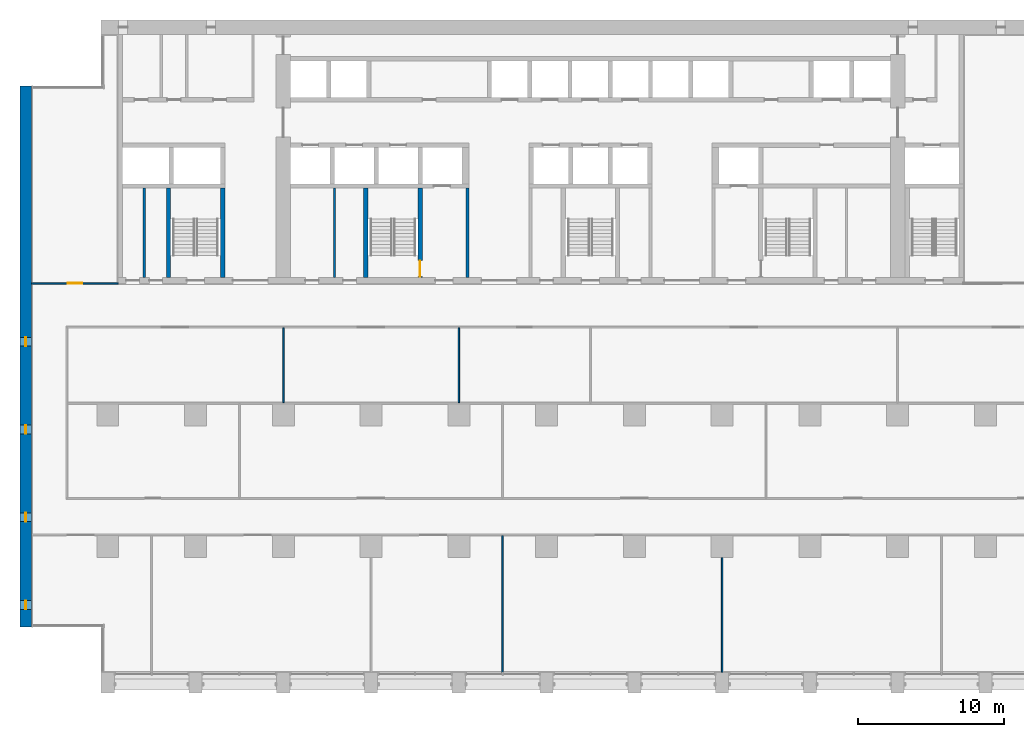
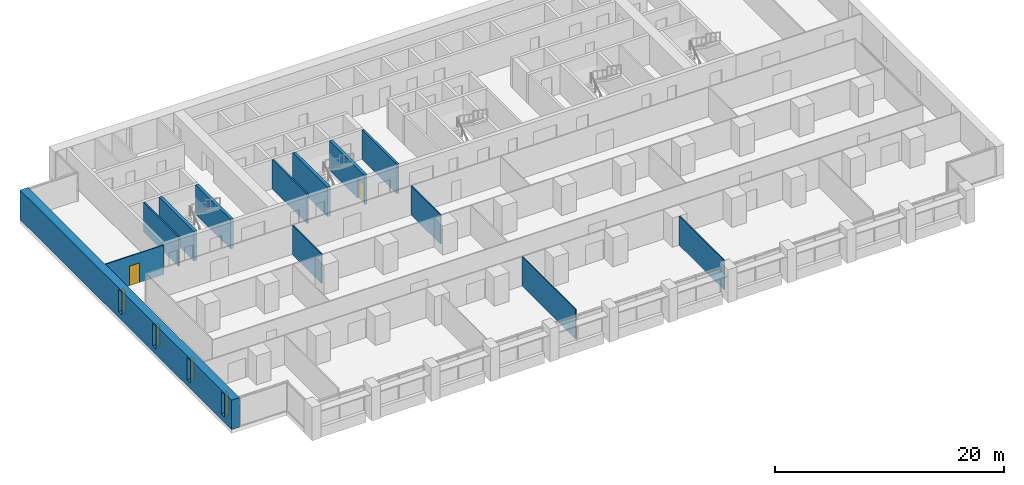
# One storey, part 8 of 18: 13 walls, 4 windows, 2 doors, 6 openings.
"""IFC4 building model written with IfcOpenShell, lengths in metres."""

import ifcopenshell
import ifcopenshell.guid

model = None  # the IFC model being written
_history = None  # IfcOwnerHistory: only IFC2X3 demands one
_inside = {}  # id of a spatial element -> (the spatial element, [elements in it])
_under = {}  # id of a project, library or spatial element -> (it, [spatial elements below it])
_declared = {}  # id of a project -> (the project, [libraries it declares])
_typed = {}  # id of a type object -> (the type object, [elements of that type])
_made_of = {}  # id of a material, layer set ... -> (it, [elements and type objects made of it])


def new_model(schema):
    """Start an empty IFC model of exactly this schema.

    Asked for "IFC4X3", IfcOpenShell would pick the latest addendum, in which some entities
    have other attributes; the version numbers below select the first issue.
    IFC2X3 requires an IfcOwnerHistory on every rooted entity: one is made here for all.
    """
    global model, _history
    if schema == "IFC4X3":
        model = ifcopenshell.file(schema_version=(4, 3, 0, 0))
    else:
        model = ifcopenshell.file(schema=schema)
    _inside.clear()
    _under.clear()
    _declared.clear()
    _typed.clear()
    _made_of.clear()
    _history = None
    if model.schema == "IFC2X3":
        org = make("IfcOrganization", Name="unknown")
        user = make(
            "IfcPersonAndOrganization",
            ThePerson=make("IfcPerson", FamilyName="unknown"),
            TheOrganization=org,
        )
        app = make(
            "IfcApplication",
            ApplicationDeveloper=org,
            Version="unknown",
            ApplicationFullName="unknown",
            ApplicationIdentifier="unknown",
        )
        _history = make(
            "IfcOwnerHistory",
            OwningUser=user,
            OwningApplication=app,
            ChangeAction="ADDED",
            CreationDate=0,
        )
    return model


def make(cls, **values):
    """One entity of the class cls with the attributes given. An attribute that is None is left unset."""
    return model.create_entity(
        cls, **{name: value for name, value in values.items() if value is not None}
    )


def rooted(cls, **values):
    """An entity with a GlobalId (a new one), such as an element, a storey or a relation."""
    return make(cls, GlobalId=ifcopenshell.guid.new(), OwnerHistory=_history, **values)


def si_unit(unit_type, name, prefix=None):
    """IfcSIUnit, for example si_unit("LENGTHUNIT", "METRE", prefix="MILLI")."""
    return make("IfcSIUnit", UnitType=unit_type, Prefix=prefix, Name=name)


def assignment(units):
    """IfcUnitAssignment: the units of a project."""
    return None if units is None else make("IfcUnitAssignment", Units=units)


def point(xyz):
    """IfcCartesianPoint."""
    return None if xyz is None else make("IfcCartesianPoint", Coordinates=xyz)


def direction(xyz):
    """IfcDirection."""
    return None if xyz is None else make("IfcDirection", DirectionRatios=xyz)


def frame(location, z_axis=None, x_axis=None):
    """IfcAxis2Placement3D, a coordinate frame: its origin and axes. An axis left out is left unset."""
    return make(
        "IfcAxis2Placement3D",
        Location=point(location),
        Axis=direction(z_axis),
        RefDirection=direction(x_axis),
    )


def frame_2d(location, x_axis=None):
    """IfcAxis2Placement2D, a coordinate frame in the plane: its origin and x axis."""
    return make(
        "IfcAxis2Placement2D", Location=point(location), RefDirection=direction(x_axis)
    )


def origin():
    """The frame at (0, 0, 0) with its axes left unset."""
    return frame((0.0, 0.0, 0.0))


def place(relative_to, where):
    """IfcLocalPlacement: puts the frame where relative to a parent placement (None: the world)."""
    return make(
        "IfcLocalPlacement", PlacementRelTo=relative_to, RelativePlacement=where
    )


def context(
    kind, dimensions, precision=None, world=None, true_north=None, identifier=None
):
    """IfcGeometricRepresentationContext, for example the 3D "Model" context."""
    return make(
        "IfcGeometricRepresentationContext",
        ContextIdentifier=identifier,
        ContextType=kind,
        CoordinateSpaceDimension=dimensions,
        Precision=precision,
        WorldCoordinateSystem=world,
        TrueNorth=true_north,
    )


def subcontext(parent, identifier, kind, view, scale=None):
    """IfcGeometricRepresentationSubContext, for example "Body" below "Model"."""
    return make(
        "IfcGeometricRepresentationSubContext",
        ContextIdentifier=identifier,
        ContextType=kind,
        ParentContext=parent,
        TargetScale=scale,
        TargetView=view,
    )


def project(units=None, contexts=None):
    """IfcProject with its units and contexts."""
    return rooted(
        "IfcProject",
        Name="project",
        RepresentationContexts=contexts,
        UnitsInContext=assignment(units),
    )


def spatial(cls, under=None, at=None, **own):
    """A site, building, storey or space (cls), placed at a placement, below another one or the project."""
    s = rooted(cls, ObjectPlacement=at, **own)
    if under is not None:
        _under.setdefault(under.id(), (under, []))[1].append(s)
    return s


def profile(cls, at=None, kind="AREA", **sizes):
    """A parametric profile (cls). Its sizes go by their IFC names, for example OverallWidth=200.0."""
    return make(cls, ProfileType=kind, Position=at, **sizes)


def rectangle(**sizes):
    """IfcRectangleProfileDef."""
    return profile("IfcRectangleProfileDef", **sizes)


def extrude(swept, where, along, depth):
    """IfcExtrudedAreaSolid: the profile swept, set in the frame where, extruded along a direction by depth."""
    return make(
        "IfcExtrudedAreaSolid",
        SweptArea=swept,
        Position=where,
        ExtrudedDirection=direction(along),
        Depth=depth,
    )


def shape(context_of_items, identifier, shape_type, items):
    """IfcShapeRepresentation: the items that make up one representation, for example the "Body"."""
    return make(
        "IfcShapeRepresentation",
        ContextOfItems=context_of_items,
        RepresentationIdentifier=identifier,
        RepresentationType=shape_type,
        Items=items,
    )


def material(Name=None, Category=None):
    """IfcMaterial."""
    return make("IfcMaterial", Name=Name, Category=Category)


def layer(
    of_material, thickness, ventilated=None, Name=None, Category=None, Priority=None
):
    """IfcMaterialLayer: one layer of a wall or slab, of a material (None: an air gap)."""
    return make(
        "IfcMaterialLayer",
        Material=of_material,
        LayerThickness=thickness,
        IsVentilated=ventilated,
        Name=Name,
        Category=Category,
        Priority=Priority,
    )


def layer_set(layers, Name=None):
    """IfcMaterialLayerSet."""
    return make("IfcMaterialLayerSet", MaterialLayers=layers, LayerSetName=Name)


def made_of(thing, what):
    """Note that an element or type object is made of a material, layer set ...; save() writes the relation."""
    if what is not None:
        _made_of.setdefault(what.id(), (what, []))[1].append(thing)
    return thing


def type_object(cls, material=None, **own):
    """A type object (cls), such as IfcWallType, which elements share."""
    return made_of(rooted(cls, **own), material)


def element(
    cls,
    number,
    at=None,
    inside=None,
    cuts=None,
    type_object=None,
    material=None,
    context=None,
    identifier="Body",
    shape_type=None,
    held_by="IfcProductDefinitionShape",
    body=None,
    shapes=None,
    **own,
):
    """One element of the class cls, such as IfcWall. Its Tag is "e" and its number.

    at: its placement. inside: the storey or other place that contains it. cuts: it is an
    opening in that element (IfcRelVoidsElement). A single representation is given by context,
    identifier, shape_type and body (its items); several are given by shapes. held_by: the class
    of the entity that holds the representations. save() writes the other relations.
    """
    e = rooted(cls, Tag="e%d" % number, ObjectPlacement=at, **own)
    if body is not None:
        shapes = [shape(context, identifier, shape_type, body)]
    if shapes is not None:
        e.Representation = make(held_by, Representations=shapes)
    if inside is not None:
        _inside.setdefault(inside.id(), (inside, []))[1].append(e)
    if cuts is not None:
        rooted(
            "IfcRelVoidsElement", RelatingBuildingElement=cuts, RelatedOpeningElement=e
        )
    if type_object is not None:
        _typed.setdefault(type_object.id(), (type_object, []))[1].append(e)
    return made_of(e, material)


def fill(opening, filler):
    """IfcRelFillsElement: the door or window that sits in an opening."""
    return rooted(
        "IfcRelFillsElement",
        RelatingOpeningElement=opening,
        RelatedBuildingElement=filler,
    )


def aggregate(whole, parts):
    """IfcRelAggregates: a whole, such as a stair, and the parts it consists of."""
    return rooted("IfcRelAggregates", RelatingObject=whole, RelatedObjects=parts)


def save(model, path):
    """Write the relations noted so far, then the file.

    IfcRelAggregates (storeys below a building ...), IfcRelContainedInSpatialStructure (elements
    in a storey), IfcRelDefinesByType, IfcRelAssociatesMaterial and IfcRelDeclares: one each for
    every whole, place, type object, material and project.
    """
    for whole, parts in _under.values():
        aggregate(whole, parts)
    for where, things in _inside.values():
        rooted(
            "IfcRelContainedInSpatialStructure",
            RelatedElements=things,
            RelatingStructure=where,
        )
    for kind, things in _typed.values():
        rooted("IfcRelDefinesByType", RelatedObjects=things, RelatingType=kind)
    for what, things in _made_of.values():
        rooted("IfcRelAssociatesMaterial", RelatedObjects=things, RelatingMaterial=what)
    for by, libraries in _declared.values():
        rooted("IfcRelDeclares", RelatingContext=by, RelatedDefinitions=libraries)
    model.write(path)


model = new_model("IFC4")

# Units and contexts
model_context = context("Model", 3, precision=1e-05, world=origin(), true_north=direction((0.0, 1.0)))
body_context = subcontext(model_context, "Body", "Model", "MODEL_VIEW")
ifc_project = project(units=[si_unit("LENGTHUNIT", "METRE"), si_unit("AREAUNIT", "SQUARE_METRE"), si_unit("VOLUMEUNIT", "CUBIC_METRE"), si_unit("PLANEANGLEUNIT", "RADIAN"), si_unit("MASSUNIT", "GRAM", prefix="KILO")], contexts=[model_context])

# Site, building, storey
site_placement = place(None, origin())
site = spatial("IfcSite", under=ifc_project, at=site_placement, CompositionType="ELEMENT")
building_placement = place(site_placement, origin())
building = spatial("IfcBuilding", under=site, at=building_placement, Name="Calvaro Tower", CompositionType="ELEMENT")
storey_placement = place(building_placement, frame((0.0, 0.0, 86.25)))
storey = spatial("IfcBuildingStorey", under=building, at=storey_placement, Name="L21", CompositionType="ELEMENT", Elevation=86.25)

# Walls
ifc_material_1 = material(Name="Blockwork partition", Category="masonry")
ifc_layer_1 = layer(ifc_material_1, 0.14990234375)
ifc_layer_set_1 = layer_set([ifc_layer_1], Name="Blockwork partition")
wall_type_1 = type_object("IfcWallType", Name="Core partition 150 EI 60", PredefinedType="PARTITIONING", material=ifc_layer_set_1)
wall_1_placement = place(storey_placement, frame((8.5, 28.39990234375, 0.0), z_axis=(0.0, 0.0, 1.0), x_axis=(0.0, 1.0, 0.0)))
element("IfcWall", 1, at=wall_1_placement, inside=storey, type_object=wall_type_1, Name="Core partition", PredefinedType="PARTITIONING", context=body_context, shape_type="SweptSolid", body=[
    extrude(rectangle(XDim=6.10009765625, YDim=0.14990234375, at=frame_2d((3.050048828125, 0.0))), origin(), (0.0, 0.0, 1.0), 3.14990234375),
])
ifc_material_2 = material(Name="Blockwork partition", Category="masonry")
ifc_layer_2 = layer(ifc_material_2, 0.14990234375)
ifc_layer_set_2 = layer_set([ifc_layer_2], Name="Blockwork partition")
wall_type_2 = type_object("IfcWallType", Name="Core partition 150 REI 120", PredefinedType="PARTITIONING", material=ifc_layer_set_2)
wall_2_placement = place(storey_placement, frame((21.5, 28.39990234375, 0.0), z_axis=(0.0, 0.0, 1.0), x_axis=(0.0, 1.0, 0.0)))
element("IfcWall", 2, at=wall_2_placement, inside=storey, type_object=wall_type_2, Name="Core partition", PredefinedType="PARTITIONING", context=body_context, shape_type="SweptSolid", body=[
    extrude(rectangle(XDim=6.10009765625, YDim=0.14990234375, at=frame_2d((3.050048828125, 0.0))), origin(), (0.0, 0.0, 1.0), 3.14990234375),
])
ifc_material_3 = material(Name="Blockwork partition", Category="masonry")
ifc_layer_3 = layer(ifc_material_3, 0.199951171875)
ifc_layer_set_3 = layer_set([ifc_layer_3], Name="Blockwork partition")
wall_type_3 = type_object("IfcWallType", Name="Core partition 200 REI 120", PredefinedType="PARTITIONING", material=ifc_layer_set_3)
wall_3_placement = place(storey_placement, frame((30.60009765625, 28.39990234375, 0.0), z_axis=(0.0, 0.0, 1.0), x_axis=(0.0, 1.0, 0.0)))
element("IfcWall", 3, at=wall_3_placement, inside=storey, type_object=wall_type_3, Name="Core partition", PredefinedType="PARTITIONING", context=body_context, shape_type="SweptSolid", body=[
    extrude(rectangle(XDim=6.10009765625, YDim=0.199951171875, at=frame_2d((3.050048828125, 0.0))), origin(), (0.0, 0.0, 1.0), 3.14990234375),
])
ifc_material_4 = material(Name="Concrete C80/95", Category="concrete")
ifc_layer_4 = layer(ifc_material_4, 0.300048828125)
ifc_layer_set_4 = layer_set([ifc_layer_4], Name="Concrete C80/95")
wall_type_4 = type_object("IfcWallType", Name="Core wall C80/95 300", PredefinedType="SHEAR", material=ifc_layer_set_4)
for number, where, z_axis, x_axis, name in (
    (4, (10.14990234375, 28.39990234375, 0.0), (0.0, 0.0, 1.0), (0.0, 1.0, 0.0), "Core wall, stair enclosure"),
    (5, (13.85009765625, 28.39990234375, 0.0), (0.0, 0.0, 1.0), (0.0, 1.0, 0.0), "Core wall, stair enclosure"),
    (6, (23.64990234375, 28.39990234375, 0.0), (0.0, 0.0, 1.0), (0.0, 1.0, 0.0), "Core wall, stair enclosure"),
):
    element("IfcWall", number, at=place(storey_placement, frame(where, z_axis=z_axis, x_axis=x_axis)), inside=storey, type_object=wall_type_4, Name=name, PredefinedType="SHEAR", context=body_context, shape_type="SweptSolid", body=[
        extrude(rectangle(XDim=6.10009765625, YDim=0.300048828125, at=frame_2d((3.050048828125, 0.0))), origin(), (0.0, 0.0, 1.0), 3.14990234375),
    ])

# Wall, opening, door
wall_4_placement = place(storey_placement, frame((27.35009765625, 28.39990234375, 0.0), z_axis=(0.0, 0.0, 1.0), x_axis=(0.0, 1.0, 0.0)))
wall_4 = element("IfcWall", 7, at=wall_4_placement, inside=storey, type_object=wall_type_4, Name="Core wall, stair enclosure", PredefinedType="SHEAR", context=body_context, shape_type="SweptSolid", body=[
    extrude(rectangle(XDim=6.10009765625, YDim=0.300048828125, at=frame_2d((3.050048828125, 0.0))), origin(), (0.0, 0.0, 1.0), 3.14990234375),
])
opening_1_placement = place(wall_4_placement, frame((0.050048828125, 0.0, 0.0)))
opening_1 = element("IfcOpeningElement", 8, at=opening_1_placement, cuts=wall_4, Name="Opening FD11D", PredefinedType="OPENING", context=body_context, shape_type="SweptSolid", body=[
    extrude(rectangle(XDim=1.10009765625, YDim=2.10009765625, at=frame_2d((0.550048828125, 1.050048828125))), frame((0.0, 0.159912109375, 0.0), z_axis=(0.0, -1.0, 0.0), x_axis=(1.0, 0.0, 0.0)), (0.0, 0.0, 1.0), 0.320068359375),
])
ifc_material_5 = material(Name="Steel door set", Category="steel")
door_type_1 = type_object("IfcDoorType", Name="Fire door 1100 FD30S", OperationType="SINGLE_SWING_LEFT", PredefinedType="DOOR", material=ifc_material_5)
door_1_placement = place(opening_1_placement, origin())
door_1 = element("IfcDoor", 9, at=door_1_placement, inside=storey, type_object=door_type_1, Name="Fire door", OperationType="SINGLE_SWING_LEFT", OverallHeight=2.10009765625, OverallWidth=1.10009765625, PredefinedType="DOOR", context=body_context, shape_type="SweptSolid", body=[
    extrude(rectangle(XDim=1.10009765625, YDim=2.10009765625, at=frame_2d((0.550048828125, 1.050048828125))), frame((0.0, 0.02490234375, 0.0), z_axis=(0.0, -1.0, 0.0), x_axis=(1.0, 0.0, 0.0)), (0.0, 0.0, 1.0), 0.050048828125),
])
fill(opening_1, door_1)

# Wall, openings, windows
ifc_material_6 = material(Name="Concrete C80/95", Category="concrete")
ifc_layer_5 = layer(ifc_material_6, 0.800048828125)
ifc_layer_set_5 = layer_set([ifc_layer_5], Name="Concrete C80/95")
wall_type_5 = type_object("IfcWallType", Name="End wall 800 C80/95", PredefinedType="SHEAR", material=ifc_layer_set_5)
wall_5_placement = place(storey_placement, frame((0.39990234375, 4.5, 0.0), z_axis=(0.0, 0.0, 1.0), x_axis=(0.0, 1.0, 0.0)))
wall_5 = element("IfcWall", 10, at=wall_5_placement, inside=storey, type_object=wall_type_5, Name="End shear wall", PredefinedType="SHEAR", context=body_context, shape_type="SweptSolid", body=[
    extrude(rectangle(XDim=37.0, YDim=0.800048828125, at=frame_2d((18.5, 0.0))), origin(), (0.0, 0.0, 1.0), 3.14990234375),
])
opening_2_placement = place(wall_5_placement, frame((1.199951171875, 0.0, 0.60009765625)))
opening_2 = element("IfcOpeningElement", 11, at=opening_2_placement, cuts=wall_5, Name="Opening WW01", PredefinedType="OPENING", context=body_context, shape_type="SweptSolid", body=[
    extrude(rectangle(XDim=0.60009765625, YDim=2.39990234375, at=frame_2d((0.300048828125, 1.199951171875))), frame((0.0, 0.409912109375, 0.0), z_axis=(0.0, -1.0, 0.0), x_axis=(1.0, 0.0, 0.0)), (0.0, 0.0, 1.0), 0.820068359375),
])
opening_3_placement = place(wall_5_placement, frame((7.199951171875, 0.0, 0.60009765625)))
opening_3 = element("IfcOpeningElement", 12, at=opening_3_placement, cuts=wall_5, Name="Opening WW02", PredefinedType="OPENING", context=body_context, shape_type="SweptSolid", body=[
    extrude(rectangle(XDim=0.60009765625, YDim=2.39990234375, at=frame_2d((0.300048828125, 1.199951171875))), frame((0.0, 0.409912109375, 0.0), z_axis=(0.0, -1.0, 0.0), x_axis=(1.0, 0.0, 0.0)), (0.0, 0.0, 1.0), 0.820068359375),
])
opening_4_placement = place(wall_5_placement, frame((13.199951171875, 0.0, 0.60009765625)))
opening_4 = element("IfcOpeningElement", 13, at=opening_4_placement, cuts=wall_5, Name="Opening WW03", PredefinedType="OPENING", context=body_context, shape_type="SweptSolid", body=[
    extrude(rectangle(XDim=0.60009765625, YDim=2.39990234375, at=frame_2d((0.300048828125, 1.199951171875))), frame((0.0, 0.409912109375, 0.0), z_axis=(0.0, -1.0, 0.0), x_axis=(1.0, 0.0, 0.0)), (0.0, 0.0, 1.0), 0.820068359375),
])
opening_5_placement = place(wall_5_placement, frame((19.199951171875, 0.0, 0.60009765625)))
opening_5 = element("IfcOpeningElement", 14, at=opening_5_placement, cuts=wall_5, Name="Opening WW04", PredefinedType="OPENING", context=body_context, shape_type="SweptSolid", body=[
    extrude(rectangle(XDim=0.60009765625, YDim=2.39990234375, at=frame_2d((0.300048828125, 1.199951171875))), frame((0.0, 0.409912109375, 0.0), z_axis=(0.0, -1.0, 0.0), x_axis=(1.0, 0.0, 0.0)), (0.0, 0.0, 1.0), 0.820068359375),
])
ifc_material_7 = material(Name="Glass", Category="glass")
window_type = type_object("IfcWindowType", Name="Slit window 600 x 2400", PartitioningType="SINGLE_PANEL", PredefinedType="WINDOW", material=ifc_material_7)
window_1_placement = place(opening_2_placement, origin())
window_1 = element("IfcWindow", 15, at=window_1_placement, inside=storey, type_object=window_type, Name="Window WW01", OverallHeight=2.39990234375, OverallWidth=0.60009765625, PartitioningType="SINGLE_PANEL", PredefinedType="WINDOW", context=body_context, shape_type="SweptSolid", body=[
    extrude(rectangle(XDim=0.60009765625, YDim=2.39990234375, at=frame_2d((0.300048828125, 1.199951171875))), frame((0.0, 0.030029296875, 0.0), z_axis=(0.0, -1.0, 0.0), x_axis=(1.0, 0.0, 0.0)), (0.0, 0.0, 1.0), 0.06005859375),
])
fill(opening_2, window_1)
window_2_placement = place(opening_3_placement, origin())
window_2 = element("IfcWindow", 16, at=window_2_placement, inside=storey, type_object=window_type, Name="Window WW02", OverallHeight=2.39990234375, OverallWidth=0.60009765625, PartitioningType="SINGLE_PANEL", PredefinedType="WINDOW", context=body_context, shape_type="SweptSolid", body=[
    extrude(rectangle(XDim=0.60009765625, YDim=2.39990234375, at=frame_2d((0.300048828125, 1.199951171875))), frame((0.0, 0.030029296875, 0.0), z_axis=(0.0, -1.0, 0.0), x_axis=(1.0, 0.0, 0.0)), (0.0, 0.0, 1.0), 0.06005859375),
])
fill(opening_3, window_2)
window_3_placement = place(opening_4_placement, origin())
window_3 = element("IfcWindow", 17, at=window_3_placement, inside=storey, type_object=window_type, Name="Window WW03", OverallHeight=2.39990234375, OverallWidth=0.60009765625, PartitioningType="SINGLE_PANEL", PredefinedType="WINDOW", context=body_context, shape_type="SweptSolid", body=[
    extrude(rectangle(XDim=0.60009765625, YDim=2.39990234375, at=frame_2d((0.300048828125, 1.199951171875))), frame((0.0, 0.030029296875, 0.0), z_axis=(0.0, -1.0, 0.0), x_axis=(1.0, 0.0, 0.0)), (0.0, 0.0, 1.0), 0.06005859375),
])
fill(opening_4, window_3)
window_4_placement = place(opening_5_placement, origin())
window_4 = element("IfcWindow", 18, at=window_4_placement, inside=storey, type_object=window_type, Name="Window WW04", OverallHeight=2.39990234375, OverallWidth=0.60009765625, PartitioningType="SINGLE_PANEL", PredefinedType="WINDOW", context=body_context, shape_type="SweptSolid", body=[
    extrude(rectangle(XDim=0.60009765625, YDim=2.39990234375, at=frame_2d((0.300048828125, 1.199951171875))), frame((0.0, 0.030029296875, 0.0), z_axis=(0.0, -1.0, 0.0), x_axis=(1.0, 0.0, 0.0)), (0.0, 0.0, 1.0), 0.06005859375),
])
fill(opening_5, window_4)

# Walls
ifc_material_8 = material(Name="Plasterboard on steel studs", Category="steel")
ifc_layer_6 = layer(ifc_material_8, 0.10009765625)
ifc_layer_set_6 = layer_set([ifc_layer_6], Name="Plasterboard on steel studs")
wall_type_6 = type_object("IfcWallType", Name="Partition 100", PredefinedType="PARTITIONING", material=ifc_layer_set_6)
for number, where, z_axis, x_axis, name in (
    (19, (18.0, 19.85009765625, 0.0), (0.0, 0.0, 1.0), (0.0, 1.0, 0.0), "Partition T14.W010"),
    (20, (30.0, 19.85009765625, 0.0), (0.0, 0.0, 1.0), (0.0, 1.0, 0.0), "Partition T14.W012"),
):
    element("IfcWall", number, at=place(storey_placement, frame(where, z_axis=z_axis, x_axis=x_axis)), inside=storey, type_object=wall_type_6, Name=name, PredefinedType="PARTITIONING", context=body_context, shape_type="SweptSolid", body=[
        extrude(rectangle(XDim=5.099853515625, YDim=0.10009765625, at=frame_2d((2.5498046875, 0.0))), origin(), (0.0, 0.0, 1.0), 3.14990234375),
    ])
wall_6_placement = place(storey_placement, frame((33.0, 1.39990234375, 0.0), z_axis=(0.0, 0.0, 1.0), x_axis=(0.0, 1.0, 0.0)))
element("IfcWall", 21, at=wall_6_placement, inside=storey, type_object=wall_type_6, Name="Partition T14.W013", PredefinedType="PARTITIONING", context=body_context, shape_type="SweptSolid", body=[
    extrude(rectangle(XDim=9.35009765625, YDim=0.10009765625, at=frame_2d((4.675048828125, 0.0))), origin(), (0.0, 0.0, 1.0), 3.14990234375),
])
wall_7_placement = place(storey_placement, frame((48.0, 1.39990234375, 0.0), z_axis=(0.0, 0.0, 1.0), x_axis=(0.0, 1.0, 0.0)))
element("IfcWall", 22, at=wall_7_placement, inside=storey, type_object=wall_type_6, Name="Partition T14.W016", PredefinedType="PARTITIONING", context=body_context, shape_type="SweptSolid", body=[
    extrude(rectangle(XDim=7.85009765625, YDim=0.10009765625, at=frame_2d((3.925048828125, 0.0))), origin(), (0.0, 0.0, 1.0), 3.14990234375),
])

# Wall, opening, door
ifc_material_9 = material(Name="Plasterboard on steel studs", Category="steel")
ifc_layer_7 = layer(ifc_material_9, 0.10009765625)
ifc_layer_set_7 = layer_set([ifc_layer_7], Name="Plasterboard on steel studs")
wall_type_7 = type_object("IfcWallType", Name="Partition 100 REI 120", PredefinedType="PARTITIONING", material=ifc_layer_set_7)
wall_8_placement = place(storey_placement, frame((0.800048828125, 28.0, 0.0), z_axis=(0.0, 0.0, 1.0), x_axis=(1.0, 0.0, 0.0)))
wall_8 = element("IfcWall", 23, at=wall_8_placement, inside=storey, type_object=wall_type_7, Name="Partition T14.W005", PredefinedType="PARTITIONING", context=body_context, shape_type="SweptSolid", body=[
    extrude(rectangle(XDim=5.89990234375, YDim=0.10009765625, at=frame_2d((2.949951171875, 0.0))), origin(), (0.0, 0.0, 1.0), 3.14990234375),
])
opening_6_placement = place(wall_8_placement, frame((2.449951171875, 0.0, 0.0)))
opening_6 = element("IfcOpeningElement", 24, at=opening_6_placement, cuts=wall_8, Name="Opening T14.018", PredefinedType="OPENING", context=body_context, shape_type="SweptSolid", body=[
    extrude(rectangle(XDim=1.0, YDim=2.10009765625, at=frame_2d((0.5, 1.050048828125))), frame((0.0, 0.06005859375, 0.0), z_axis=(0.0, -1.0, 0.0), x_axis=(1.0, 0.0, 0.0)), (0.0, 0.0, 1.0), 0.1201171875),
])
ifc_material_10 = material(Name="Timber", Category="wood")
door_type_2 = type_object("IfcDoorType", Name="Internal single door 1000 x 2100 FD60", OperationType="SINGLE_SWING_LEFT", PredefinedType="DOOR", material=ifc_material_10)
door_2_placement = place(opening_6_placement, origin())
door_2 = element("IfcDoor", 25, at=door_2_placement, inside=storey, type_object=door_type_2, Name="Door T14.018", OperationType="SINGLE_SWING_LEFT", OverallHeight=2.10009765625, OverallWidth=1.0, PredefinedType="DOOR", context=body_context, shape_type="SweptSolid", body=[
    extrude(rectangle(XDim=1.0, YDim=2.10009765625, at=frame_2d((0.5, 1.050048828125))), frame((0.0, 0.02490234375, 0.0), z_axis=(0.0, -1.0, 0.0), x_axis=(1.0, 0.0, 0.0)), (0.0, 0.0, 1.0), 0.050048828125),
])
fill(opening_6, door_2)

save(model, "model.ifc")
